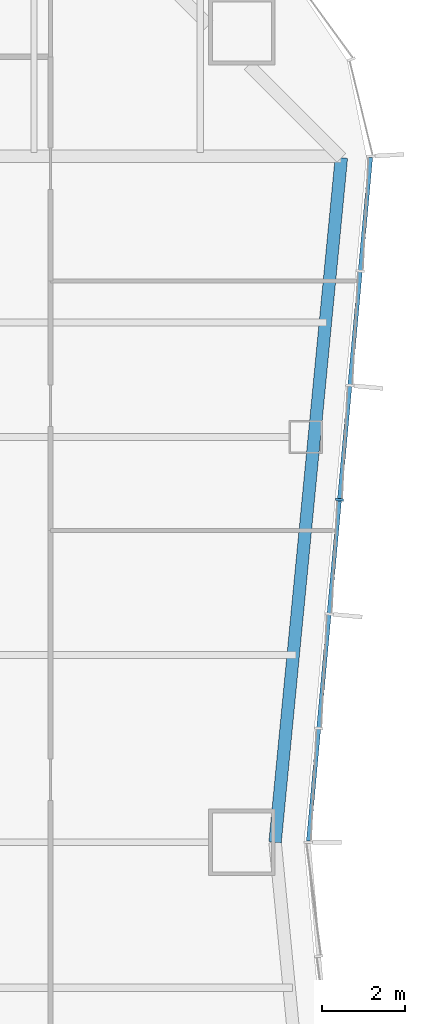
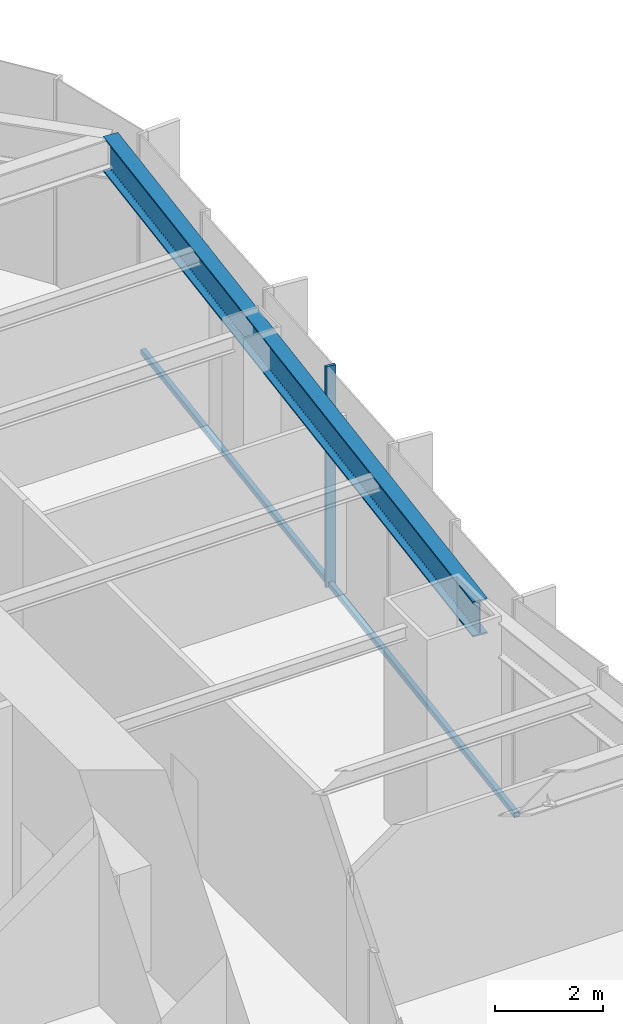
# One storey, part 5 of 14: 2 members, 1 beam, 1 element without a shape of its own.
"""IFC4 building model written with IfcOpenShell, lengths in metres."""

from ifc_helpers import new_model, si_unit, direction, frame, origin, origin_2d, place, context, subcontext, project, spatial, rectangle, i_section, extrude, material, material_profile, profile_set, type_object, element, aggregate, save


model = new_model("IFC4")

# Units and contexts
model_context = context("Model", 3, precision=1e-05, world=origin(), true_north=direction((0.0, 1.0)))
body_context = subcontext(model_context, "Body", "Model", "MODEL_VIEW")
ifc_project = project(units=[si_unit("LENGTHUNIT", "METRE"), si_unit("AREAUNIT", "SQUARE_METRE"), si_unit("VOLUMEUNIT", "CUBIC_METRE"), si_unit("PLANEANGLEUNIT", "RADIAN"), si_unit("MASSUNIT", "GRAM", prefix="KILO")], contexts=[model_context])

# Site, building, storey
site_placement = place(None, origin())
site = spatial("IfcSite", under=ifc_project, at=site_placement, CompositionType="ELEMENT")
building_placement = place(site_placement, origin())
building = spatial("IfcBuilding", under=site, at=building_placement, Name="Verdant Reach Tower", CompositionType="ELEMENT")
storey_placement = place(building_placement, frame((0.0, 0.0, 9.0)))
storey = spatial("IfcBuildingStorey", under=building, at=storey_placement, Name="L01", CompositionType="ELEMENT", Elevation=9.0)

# Curtain wall, members
ifc_material_1 = material(Name="Anodised aluminium", Category="aluminium")
curtain_wall_type = type_object("IfcCurtainWallType", Name="EN-CW SYSTEM Z0", PredefinedType="NOTDEFINED", material=ifc_material_1)
curtain_wall_placement = place(storey_placement, origin())
curtain_wall = element("IfcCurtainWall", 1, at=curtain_wall_placement, inside=storey, type_object=curtain_wall_type, Name="Curtain wall east, L01", PredefinedType="NOTDEFINED")
ifc_material_profile_1 = material_profile(ifc_material_1, rectangle(XDim=0.199951171875, YDim=0.06005859375, at=origin_2d()), Name="Mullion 60x200")
ifc_profile_set_1 = profile_set([ifc_material_profile_1], Name="Anodised aluminium")
member_type_1 = type_object("IfcMemberType", Name="EN-MULLION Z0", PredefinedType="MULLION", material=ifc_profile_set_1)
member_1_placement = place(storey_placement, frame((23.349609375, 30.740966796875, -0.35009765625), z_axis=(0.0, 0.0, 1.0), x_axis=(0.995893206467, -0.090535746047, 0.0)))
member_1 = element("IfcMember", 2, at=member_1_placement, type_object=member_type_1, Name="Mullion east face part 2 4, L01", PredefinedType="MULLION", context=body_context, shape_type="SweptSolid", body=[
    extrude(rectangle(XDim=0.199951171875, YDim=0.06005859375, at=origin_2d()), origin(), (0.0, 0.0, 1.0), 5.0),
])
ifc_material_profile_2 = material_profile(ifc_material_1, rectangle(XDim=0.10009765625, YDim=0.1201171875, at=origin_2d()), Name="Transom 120x100")
ifc_profile_set_2 = profile_set([ifc_material_profile_2], Name="Anodised aluminium")
member_type_2 = type_object("IfcMemberType", Name="EN-TRANSOM Z0", PredefinedType="USERDEFINED", material=ifc_profile_set_2)
member_2_placement = place(storey_placement, frame((22.602783203125, 22.52978515625, -0.2900390625), z_axis=(0.090495755184, 0.995896841191, 0.0), x_axis=(-0.995896841191, 0.090495755184, 0.0)))
member_2 = element("IfcMember", 3, at=member_2_placement, type_object=member_type_2, Name="Transom east face part 2 1.1, L01", ObjectType="TRANSOM", PredefinedType="USERDEFINED", context=body_context, shape_type="SweptSolid", body=[
    extrude(rectangle(XDim=0.10009765625, YDim=0.1201171875, at=origin_2d()), origin(), (0.0, 0.0, 1.0), 16.513427734375),
])
aggregate(curtain_wall, [member_1, member_2])

# Beam
ifc_material_2 = material(Name="Steel S355", Category="steel")
ifc_material_profile_3 = material_profile(ifc_material_2, i_section(OverallWidth=0.300048828125, OverallDepth=0.800048828125, WebThickness=0.017578125, FlangeThickness=0.032958984375, FilletRadius=0.030029296875, at=origin_2d()), Name="HEB 800")
ifc_profile_set_3 = profile_set([ifc_material_profile_3], Name="Steel S355")
beam_type = type_object("IfcBeamType", Name="ST-SPANDREL-HEB800", PredefinedType="SPANDREL", material=ifc_profile_set_3)
beam_placement = place(storey_placement, frame((23.39453125, 38.968017578125, 4.469970703125), z_axis=(-0.096372296695, -0.995345357366, 0.0), x_axis=(0.995345357366, -0.096372296695, 0.0)))
element("IfcBeam", 4, at=beam_placement, inside=storey, type_object=beam_type, Name="Edge beam, L01", PredefinedType="SPANDREL", context=body_context, shape_type="SweptSolid", body=[
    extrude(i_section(OverallWidth=0.300048828125, OverallDepth=0.800048828125, WebThickness=0.017578125, FlangeThickness=0.032958984375, FilletRadius=0.030029296875, at=origin_2d()), origin(), (0.0, 0.0, 1.0), 16.544921875),
])

save(model, "model.ifc")
